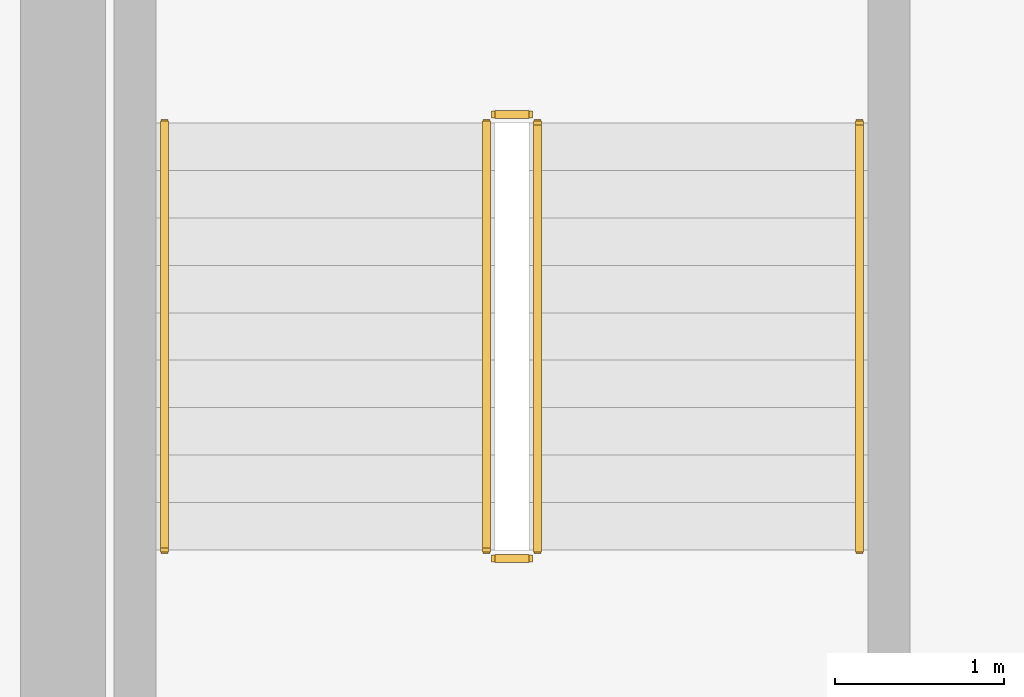
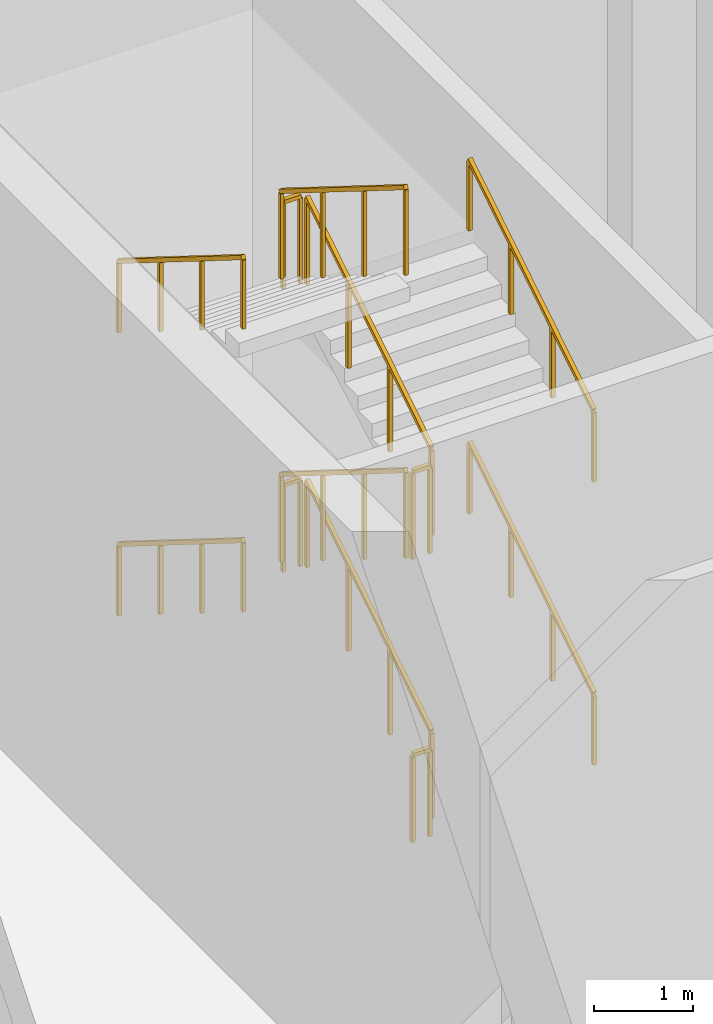
# One storey, part 19 of 21: 12 railings.
"""IFC4 building model written with IfcOpenShell, lengths in metres."""

import ifcopenshell
import ifcopenshell.guid

model = None  # the IFC model being written
_history = None  # IfcOwnerHistory: only IFC2X3 demands one
_inside = {}  # id of a spatial element -> (the spatial element, [elements in it])
_under = {}  # id of a project, library or spatial element -> (it, [spatial elements below it])
_declared = {}  # id of a project -> (the project, [libraries it declares])
_typed = {}  # id of a type object -> (the type object, [elements of that type])
_made_of = {}  # id of a material, layer set ... -> (it, [elements and type objects made of it])


def new_model(schema):
    """Start an empty IFC model of exactly this schema.

    Asked for "IFC4X3", IfcOpenShell would pick the latest addendum, in which some entities
    have other attributes; the version numbers below select the first issue.
    IFC2X3 requires an IfcOwnerHistory on every rooted entity: one is made here for all.
    """
    global model, _history
    if schema == "IFC4X3":
        model = ifcopenshell.file(schema_version=(4, 3, 0, 0))
    else:
        model = ifcopenshell.file(schema=schema)
    _inside.clear()
    _under.clear()
    _declared.clear()
    _typed.clear()
    _made_of.clear()
    _history = None
    if model.schema == "IFC2X3":
        org = make("IfcOrganization", Name="unknown")
        user = make(
            "IfcPersonAndOrganization",
            ThePerson=make("IfcPerson", FamilyName="unknown"),
            TheOrganization=org,
        )
        app = make(
            "IfcApplication",
            ApplicationDeveloper=org,
            Version="unknown",
            ApplicationFullName="unknown",
            ApplicationIdentifier="unknown",
        )
        _history = make(
            "IfcOwnerHistory",
            OwningUser=user,
            OwningApplication=app,
            ChangeAction="ADDED",
            CreationDate=0,
        )
    return model


def make(cls, **values):
    """One entity of the class cls with the attributes given. An attribute that is None is left unset."""
    return model.create_entity(
        cls, **{name: value for name, value in values.items() if value is not None}
    )


def rooted(cls, **values):
    """An entity with a GlobalId (a new one), such as an element, a storey or a relation."""
    return make(cls, GlobalId=ifcopenshell.guid.new(), OwnerHistory=_history, **values)


def si_unit(unit_type, name, prefix=None):
    """IfcSIUnit, for example si_unit("LENGTHUNIT", "METRE", prefix="MILLI")."""
    return make("IfcSIUnit", UnitType=unit_type, Prefix=prefix, Name=name)


def assignment(units):
    """IfcUnitAssignment: the units of a project."""
    return None if units is None else make("IfcUnitAssignment", Units=units)


def point(xyz):
    """IfcCartesianPoint."""
    return None if xyz is None else make("IfcCartesianPoint", Coordinates=xyz)


def direction(xyz):
    """IfcDirection."""
    return None if xyz is None else make("IfcDirection", DirectionRatios=xyz)


def frame(location, z_axis=None, x_axis=None):
    """IfcAxis2Placement3D, a coordinate frame: its origin and axes. An axis left out is left unset."""
    return make(
        "IfcAxis2Placement3D",
        Location=point(location),
        Axis=direction(z_axis),
        RefDirection=direction(x_axis),
    )


def frame_2d(location, x_axis=None):
    """IfcAxis2Placement2D, a coordinate frame in the plane: its origin and x axis."""
    return make(
        "IfcAxis2Placement2D", Location=point(location), RefDirection=direction(x_axis)
    )


def origin():
    """The frame at (0, 0, 0) with its axes left unset."""
    return frame((0.0, 0.0, 0.0))


def origin_2d():
    """The frame at (0, 0) in the plane with its x axis left unset."""
    return frame_2d((0.0, 0.0))


def place(relative_to, where):
    """IfcLocalPlacement: puts the frame where relative to a parent placement (None: the world)."""
    return make(
        "IfcLocalPlacement", PlacementRelTo=relative_to, RelativePlacement=where
    )


def context(
    kind, dimensions, precision=None, world=None, true_north=None, identifier=None
):
    """IfcGeometricRepresentationContext, for example the 3D "Model" context."""
    return make(
        "IfcGeometricRepresentationContext",
        ContextIdentifier=identifier,
        ContextType=kind,
        CoordinateSpaceDimension=dimensions,
        Precision=precision,
        WorldCoordinateSystem=world,
        TrueNorth=true_north,
    )


def subcontext(parent, identifier, kind, view, scale=None):
    """IfcGeometricRepresentationSubContext, for example "Body" below "Model"."""
    return make(
        "IfcGeometricRepresentationSubContext",
        ContextIdentifier=identifier,
        ContextType=kind,
        ParentContext=parent,
        TargetScale=scale,
        TargetView=view,
    )


def project(units=None, contexts=None):
    """IfcProject with its units and contexts."""
    return rooted(
        "IfcProject",
        Name="project",
        RepresentationContexts=contexts,
        UnitsInContext=assignment(units),
    )


def spatial(cls, under=None, at=None, **own):
    """A site, building, storey or space (cls), placed at a placement, below another one or the project."""
    s = rooted(cls, ObjectPlacement=at, **own)
    if under is not None:
        _under.setdefault(under.id(), (under, []))[1].append(s)
    return s


def profile(cls, at=None, kind="AREA", **sizes):
    """A parametric profile (cls). Its sizes go by their IFC names, for example OverallWidth=200.0."""
    return make(cls, ProfileType=kind, Position=at, **sizes)


def rectangle(**sizes):
    """IfcRectangleProfileDef."""
    return profile("IfcRectangleProfileDef", **sizes)


def extrude(swept, where, along, depth):
    """IfcExtrudedAreaSolid: the profile swept, set in the frame where, extruded along a direction by depth."""
    return make(
        "IfcExtrudedAreaSolid",
        SweptArea=swept,
        Position=where,
        ExtrudedDirection=direction(along),
        Depth=depth,
    )


def shape(context_of_items, identifier, shape_type, items):
    """IfcShapeRepresentation: the items that make up one representation, for example the "Body"."""
    return make(
        "IfcShapeRepresentation",
        ContextOfItems=context_of_items,
        RepresentationIdentifier=identifier,
        RepresentationType=shape_type,
        Items=items,
    )


def material(Name=None, Category=None):
    """IfcMaterial."""
    return make("IfcMaterial", Name=Name, Category=Category)


def made_of(thing, what):
    """Note that an element or type object is made of a material, layer set ...; save() writes the relation."""
    if what is not None:
        _made_of.setdefault(what.id(), (what, []))[1].append(thing)
    return thing


def type_object(cls, material=None, **own):
    """A type object (cls), such as IfcWallType, which elements share."""
    return made_of(rooted(cls, **own), material)


def element(
    cls,
    number,
    at=None,
    inside=None,
    cuts=None,
    type_object=None,
    material=None,
    context=None,
    identifier="Body",
    shape_type=None,
    held_by="IfcProductDefinitionShape",
    body=None,
    shapes=None,
    **own,
):
    """One element of the class cls, such as IfcWall. Its Tag is "e" and its number.

    at: its placement. inside: the storey or other place that contains it. cuts: it is an
    opening in that element (IfcRelVoidsElement). A single representation is given by context,
    identifier, shape_type and body (its items); several are given by shapes. held_by: the class
    of the entity that holds the representations. save() writes the other relations.
    """
    e = rooted(cls, Tag="e%d" % number, ObjectPlacement=at, **own)
    if body is not None:
        shapes = [shape(context, identifier, shape_type, body)]
    if shapes is not None:
        e.Representation = make(held_by, Representations=shapes)
    if inside is not None:
        _inside.setdefault(inside.id(), (inside, []))[1].append(e)
    if cuts is not None:
        rooted(
            "IfcRelVoidsElement", RelatingBuildingElement=cuts, RelatedOpeningElement=e
        )
    if type_object is not None:
        _typed.setdefault(type_object.id(), (type_object, []))[1].append(e)
    return made_of(e, material)


def aggregate(whole, parts):
    """IfcRelAggregates: a whole, such as a stair, and the parts it consists of."""
    return rooted("IfcRelAggregates", RelatingObject=whole, RelatedObjects=parts)


def save(model, path):
    """Write the relations noted so far, then the file.

    IfcRelAggregates (storeys below a building ...), IfcRelContainedInSpatialStructure (elements
    in a storey), IfcRelDefinesByType, IfcRelAssociatesMaterial and IfcRelDeclares: one each for
    every whole, place, type object, material and project.
    """
    for whole, parts in _under.values():
        aggregate(whole, parts)
    for where, things in _inside.values():
        rooted(
            "IfcRelContainedInSpatialStructure",
            RelatedElements=things,
            RelatingStructure=where,
        )
    for kind, things in _typed.values():
        rooted("IfcRelDefinesByType", RelatedObjects=things, RelatingType=kind)
    for what, things in _made_of.values():
        rooted("IfcRelAssociatesMaterial", RelatedObjects=things, RelatingMaterial=what)
    for by, libraries in _declared.values():
        rooted("IfcRelDeclares", RelatingContext=by, RelatedDefinitions=libraries)
    model.write(path)


model = new_model("IFC4")

# Units and contexts
model_context = context("Model", 3, precision=1e-05, world=origin(), true_north=direction((0.0, 1.0)))
body_context = subcontext(model_context, "Body", "Model", "MODEL_VIEW")
ifc_project = project(units=[si_unit("LENGTHUNIT", "METRE"), si_unit("AREAUNIT", "SQUARE_METRE"), si_unit("VOLUMEUNIT", "CUBIC_METRE"), si_unit("PLANEANGLEUNIT", "RADIAN"), si_unit("MASSUNIT", "GRAM", prefix="KILO")], contexts=[model_context])

# Site, building, storey
site_placement = place(None, origin())
site = spatial("IfcSite", under=ifc_project, at=site_placement, CompositionType="ELEMENT")
building_placement = place(site_placement, origin())
building = spatial("IfcBuilding", under=site, at=building_placement, Name="Cypress Arch Tower", CompositionType="ELEMENT")
storey_placement = place(building_placement, frame((0.0, 0.0, 29.0)))
storey = spatial("IfcBuildingStorey", under=building, at=storey_placement, Name="L03", CompositionType="ELEMENT", Elevation=29.0)

# Railings
ifc_material_1 = material(Name="Black powder-coated steel square bar 48 mm", Category="steel")
railing_type_1 = type_object("IfcRailingType", Name="Stair handrail HR1", PredefinedType="HANDRAIL", material=ifc_material_1)
railing_1_placement = place(storey_placement, frame((18.949951171875, -2.5, 0.175048828125)))
element("IfcRailing", 1, at=railing_1_placement, inside=storey, type_object=railing_type_1, Name="L03 C stair handrail 1", PredefinedType="HANDRAIL", context=body_context, shape_type="SweptSolid", body=[
    extrude(rectangle(XDim=0.048095703125, YDim=0.048095703125, at=origin_2d()), frame((0.0, 0.0, 0.8759765625), z_axis=(0.0, 0.848007534815, 0.529984170421), x_axis=(-1.0, 0.0, 0.0)), (0.0, 0.0, 1.0), 2.9716796875),
    extrude(rectangle(XDim=0.0419921875, YDim=0.0419921875, at=origin_2d()), origin(), (0.0, 0.0, 1.0), 0.851806640625),
    extrude(rectangle(XDim=0.0419921875, YDim=0.0419921875, at=origin_2d()), frame((0.0, 0.840087890625, 0.52490234375)), (0.0, 0.0, 1.0), 0.851806640625),
    extrude(rectangle(XDim=0.0419921875, YDim=0.0419921875, at=origin_2d()), frame((0.0, 1.679931640625, 1.050048828125)), (0.0, 0.0, 1.0), 0.851806640625),
    extrude(rectangle(XDim=0.0419921875, YDim=0.0419921875, at=origin_2d()), frame((0.0, 2.52001953125, 1.574951171875)), (0.0, 0.0, 1.0), 0.851806640625),
])
railing_2_placement = place(storey_placement, frame((14.85009765625, 0.02001953125, 1.925048828125)))
element("IfcRailing", 2, at=railing_2_placement, inside=storey, type_object=railing_type_1, Name="L03 C stair handrail 2", PredefinedType="HANDRAIL", context=body_context, shape_type="SweptSolid", body=[
    extrude(rectangle(XDim=0.048095703125, YDim=0.048095703125, at=origin_2d()), frame((0.0, 0.0, 0.8759765625), z_axis=(0.0, -0.848007534815, 0.529984170421), x_axis=(1.0, 0.0, 0.0)), (0.0, 0.0, 1.0), 2.9716796875),
    extrude(rectangle(XDim=0.0419921875, YDim=0.0419921875, at=origin_2d()), origin(), (0.0, 0.0, 1.0), 0.851806640625),
    extrude(rectangle(XDim=0.0419921875, YDim=0.0419921875, at=origin_2d()), frame((0.0, -0.840087890625, 0.52490234375)), (0.0, 0.0, 1.0), 0.851806640625),
    extrude(rectangle(XDim=0.0419921875, YDim=0.0419921875, at=origin_2d()), frame((0.0, -1.679931640625, 1.050048828125)), (0.0, 0.0, 1.0), 0.851806640625),
    extrude(rectangle(XDim=0.0419921875, YDim=0.0419921875, at=origin_2d()), frame((0.0, -2.52001953125, 1.574951171875)), (0.0, 0.0, 1.0), 0.851806640625),
])
railing_3_placement = place(storey_placement, frame((18.949951171875, -2.5, 3.675048828125)))
element("IfcRailing", 3, at=railing_3_placement, inside=storey, type_object=railing_type_1, Name="L03 C stair handrail 3", PredefinedType="HANDRAIL", context=body_context, shape_type="SweptSolid", body=[
    extrude(rectangle(XDim=0.048095703125, YDim=0.048095703125, at=origin_2d()), frame((0.0, 0.0, 0.8759765625), z_axis=(0.0, 0.848007534815, 0.529984170421), x_axis=(-1.0, 0.0, 0.0)), (0.0, 0.0, 1.0), 2.9716796875),
    extrude(rectangle(XDim=0.0419921875, YDim=0.0419921875, at=origin_2d()), origin(), (0.0, 0.0, 1.0), 0.851806640625),
    extrude(rectangle(XDim=0.0419921875, YDim=0.0419921875, at=origin_2d()), frame((0.0, 0.840087890625, 0.52490234375)), (0.0, 0.0, 1.0), 0.851806640625),
    extrude(rectangle(XDim=0.0419921875, YDim=0.0419921875, at=origin_2d()), frame((0.0, 1.679931640625, 1.050048828125)), (0.0, 0.0, 1.0), 0.851806640625),
    extrude(rectangle(XDim=0.0419921875, YDim=0.0419921875, at=origin_2d()), frame((0.0, 2.52001953125, 1.574951171875)), (0.0, 0.0, 1.0), 0.851806640625),
])
railing_4_placement = place(storey_placement, frame((14.85009765625, 0.02001953125, 5.425048828125)))
element("IfcRailing", 4, at=railing_4_placement, inside=storey, type_object=railing_type_1, Name="L03 C stair handrail 4", PredefinedType="HANDRAIL", context=body_context, shape_type="SweptSolid", body=[
    extrude(rectangle(XDim=0.048095703125, YDim=0.048095703125, at=origin_2d()), frame((0.0, 0.0, 0.8759765625), z_axis=(0.0, -0.848007534815, 0.529984170421), x_axis=(1.0, 0.0, 0.0)), (0.0, 0.0, 1.0), 2.9716796875),
    extrude(rectangle(XDim=0.0419921875, YDim=0.0419921875, at=origin_2d()), origin(), (0.0, 0.0, 1.0), 0.851806640625),
    extrude(rectangle(XDim=0.0419921875, YDim=0.0419921875, at=origin_2d()), frame((0.0, -0.840087890625, 0.52490234375)), (0.0, 0.0, 1.0), 0.851806640625),
    extrude(rectangle(XDim=0.0419921875, YDim=0.0419921875, at=origin_2d()), frame((0.0, -1.679931640625, 1.050048828125)), (0.0, 0.0, 1.0), 0.851806640625),
    extrude(rectangle(XDim=0.0419921875, YDim=0.0419921875, at=origin_2d()), frame((0.0, -2.52001953125, 1.574951171875)), (0.0, 0.0, 1.0), 0.851806640625),
])
ifc_material_2 = material(Name="Black powder-coated steel balusters", Category="steel")
railing_type_2 = type_object("IfcRailingType", Name="Stair well guard G1", PredefinedType="GUARDRAIL", material=ifc_material_2)
railing_5_placement = place(storey_placement, frame((17.050048828125, -2.5, 0.175048828125)))
element("IfcRailing", 5, at=railing_5_placement, inside=storey, type_object=railing_type_2, Name="L03 C stair guard 1", PredefinedType="GUARDRAIL", context=body_context, shape_type="SweptSolid", body=[
    extrude(rectangle(XDim=0.048095703125, YDim=0.048095703125, at=origin_2d()), frame((0.0, 0.0, 1.076171875), z_axis=(0.0, 0.848007534815, 0.529984170421), x_axis=(-1.0, 0.0, 0.0)), (0.0, 0.0, 1.0), 2.9716796875),
    extrude(rectangle(XDim=0.0419921875, YDim=0.0419921875, at=origin_2d()), origin(), (0.0, 0.0, 1.0), 1.052001953125),
    extrude(rectangle(XDim=0.0419921875, YDim=0.0419921875, at=origin_2d()), frame((0.0, 0.840087890625, 0.52490234375)), (0.0, 0.0, 1.0), 1.052001953125),
    extrude(rectangle(XDim=0.0419921875, YDim=0.0419921875, at=origin_2d()), frame((0.0, 1.679931640625, 1.050048828125)), (0.0, 0.0, 1.0), 1.052001953125),
    extrude(rectangle(XDim=0.0419921875, YDim=0.0419921875, at=origin_2d()), frame((0.0, 2.52001953125, 1.574951171875)), (0.0, 0.0, 1.0), 1.052001953125),
])
railing_6_placement = place(storey_placement, frame((17.0, 0.070068359375, 1.75)))
element("IfcRailing", 6, at=railing_6_placement, inside=storey, type_object=railing_type_2, Name="L03 C stair guard 2", PredefinedType="GUARDRAIL", context=body_context, shape_type="SweptSolid", body=[
    extrude(rectangle(XDim=0.048095703125, YDim=0.048095703125, at=origin_2d()), frame((0.0, 0.0, 1.076171875), z_axis=(-1.0, 0.0, 0.0), x_axis=(0.0, -1.0, 0.0)), (0.0, 0.0, 1.0), 0.199951171875),
    extrude(rectangle(XDim=0.0419921875, YDim=0.0419921875, at=origin_2d()), origin(), (0.0, 0.0, 1.0), 1.052001953125),
    extrude(rectangle(XDim=0.0419921875, YDim=0.0419921875, at=origin_2d()), frame((-0.199951171875, 0.0, 0.0)), (0.0, 0.0, 1.0), 1.052001953125),
])
railing_7_placement = place(storey_placement, frame((16.75, 0.02001953125, 1.925048828125)))
element("IfcRailing", 7, at=railing_7_placement, inside=storey, type_object=railing_type_2, Name="L03 C stair guard 3", PredefinedType="GUARDRAIL", context=body_context, shape_type="SweptSolid", body=[
    extrude(rectangle(XDim=0.048095703125, YDim=0.048095703125, at=origin_2d()), frame((0.0, 0.0, 1.076171875), z_axis=(0.0, -0.848007534815, 0.529984170421), x_axis=(1.0, 0.0, 0.0)), (0.0, 0.0, 1.0), 2.9716796875),
    extrude(rectangle(XDim=0.0419921875, YDim=0.0419921875, at=origin_2d()), origin(), (0.0, 0.0, 1.0), 1.052001953125),
    extrude(rectangle(XDim=0.0419921875, YDim=0.0419921875, at=origin_2d()), frame((0.0, -0.840087890625, 0.52490234375)), (0.0, 0.0, 1.0), 1.052001953125),
    extrude(rectangle(XDim=0.0419921875, YDim=0.0419921875, at=origin_2d()), frame((0.0, -1.679931640625, 1.050048828125)), (0.0, 0.0, 1.0), 1.052001953125),
    extrude(rectangle(XDim=0.0419921875, YDim=0.0419921875, at=origin_2d()), frame((0.0, -2.52001953125, 1.574951171875)), (0.0, 0.0, 1.0), 1.052001953125),
])
railing_8_placement = place(storey_placement, frame((17.0, -2.550048828125, 3.5)))
element("IfcRailing", 8, at=railing_8_placement, inside=storey, type_object=railing_type_2, Name="L03 C stair guard 4", PredefinedType="GUARDRAIL", context=body_context, shape_type="SweptSolid", body=[
    extrude(rectangle(XDim=0.048095703125, YDim=0.048095703125, at=origin_2d()), frame((0.0, 0.0, 1.076171875), z_axis=(-1.0, 0.0, 0.0), x_axis=(0.0, -1.0, 0.0)), (0.0, 0.0, 1.0), 0.199951171875),
    extrude(rectangle(XDim=0.0419921875, YDim=0.0419921875, at=origin_2d()), origin(), (0.0, 0.0, 1.0), 1.052001953125),
    extrude(rectangle(XDim=0.0419921875, YDim=0.0419921875, at=origin_2d()), frame((-0.199951171875, 0.0, 0.0)), (0.0, 0.0, 1.0), 1.052001953125),
])
railing_9_placement = place(storey_placement, frame((17.050048828125, -2.5, 3.675048828125)))
element("IfcRailing", 9, at=railing_9_placement, inside=storey, type_object=railing_type_2, Name="L03 C stair guard 5", PredefinedType="GUARDRAIL", context=body_context, shape_type="SweptSolid", body=[
    extrude(rectangle(XDim=0.048095703125, YDim=0.048095703125, at=origin_2d()), frame((0.0, 0.0, 1.076171875), z_axis=(0.0, 0.848007534815, 0.529984170421), x_axis=(-1.0, 0.0, 0.0)), (0.0, 0.0, 1.0), 2.9716796875),
    extrude(rectangle(XDim=0.0419921875, YDim=0.0419921875, at=origin_2d()), origin(), (0.0, 0.0, 1.0), 1.052001953125),
    extrude(rectangle(XDim=0.0419921875, YDim=0.0419921875, at=origin_2d()), frame((0.0, 0.840087890625, 0.52490234375)), (0.0, 0.0, 1.0), 1.052001953125),
    extrude(rectangle(XDim=0.0419921875, YDim=0.0419921875, at=origin_2d()), frame((0.0, 1.679931640625, 1.050048828125)), (0.0, 0.0, 1.0), 1.052001953125),
    extrude(rectangle(XDim=0.0419921875, YDim=0.0419921875, at=origin_2d()), frame((0.0, 2.52001953125, 1.574951171875)), (0.0, 0.0, 1.0), 1.052001953125),
])
railing_10_placement = place(storey_placement, frame((17.0, 0.070068359375, 5.25)))
element("IfcRailing", 10, at=railing_10_placement, inside=storey, type_object=railing_type_2, Name="L03 C stair guard 6", PredefinedType="GUARDRAIL", context=body_context, shape_type="SweptSolid", body=[
    extrude(rectangle(XDim=0.048095703125, YDim=0.048095703125, at=origin_2d()), frame((0.0, 0.0, 1.076171875), z_axis=(-1.0, 0.0, 0.0), x_axis=(0.0, -1.0, 0.0)), (0.0, 0.0, 1.0), 0.199951171875),
    extrude(rectangle(XDim=0.0419921875, YDim=0.0419921875, at=origin_2d()), origin(), (0.0, 0.0, 1.0), 1.052001953125),
    extrude(rectangle(XDim=0.0419921875, YDim=0.0419921875, at=origin_2d()), frame((-0.199951171875, 0.0, 0.0)), (0.0, 0.0, 1.0), 1.052001953125),
])
railing_11_placement = place(storey_placement, frame((16.75, 0.02001953125, 5.425048828125)))
element("IfcRailing", 11, at=railing_11_placement, inside=storey, type_object=railing_type_2, Name="L03 C stair guard 7", PredefinedType="GUARDRAIL", context=body_context, shape_type="SweptSolid", body=[
    extrude(rectangle(XDim=0.048095703125, YDim=0.048095703125, at=origin_2d()), frame((0.0, 0.0, 1.076171875), z_axis=(0.0, -0.848007534815, 0.529984170421), x_axis=(1.0, 0.0, 0.0)), (0.0, 0.0, 1.0), 2.9716796875),
    extrude(rectangle(XDim=0.0419921875, YDim=0.0419921875, at=origin_2d()), origin(), (0.0, 0.0, 1.0), 1.052001953125),
    extrude(rectangle(XDim=0.0419921875, YDim=0.0419921875, at=origin_2d()), frame((0.0, -0.840087890625, 0.52490234375)), (0.0, 0.0, 1.0), 1.052001953125),
    extrude(rectangle(XDim=0.0419921875, YDim=0.0419921875, at=origin_2d()), frame((0.0, -1.679931640625, 1.050048828125)), (0.0, 0.0, 1.0), 1.052001953125),
    extrude(rectangle(XDim=0.0419921875, YDim=0.0419921875, at=origin_2d()), frame((0.0, -2.52001953125, 1.574951171875)), (0.0, 0.0, 1.0), 1.052001953125),
])
railing_12_placement = place(storey_placement, frame((17.0, -2.550048828125, 0.0)))
element("IfcRailing", 12, at=railing_12_placement, inside=storey, type_object=railing_type_2, Name="L03 C stair guard 8", PredefinedType="GUARDRAIL", context=body_context, shape_type="SweptSolid", body=[
    extrude(rectangle(XDim=0.048095703125, YDim=0.048095703125, at=origin_2d()), frame((0.0, 0.0, 1.076171875), z_axis=(-1.0, 0.0, 0.0), x_axis=(0.0, -1.0, 0.0)), (0.0, 0.0, 1.0), 0.199951171875),
    extrude(rectangle(XDim=0.0419921875, YDim=0.0419921875, at=origin_2d()), origin(), (0.0, 0.0, 1.0), 1.052001953125),
    extrude(rectangle(XDim=0.0419921875, YDim=0.0419921875, at=origin_2d()), frame((-0.199951171875, 0.0, 0.0)), (0.0, 0.0, 1.0), 1.052001953125),
])

save(model, "model.ifc")
